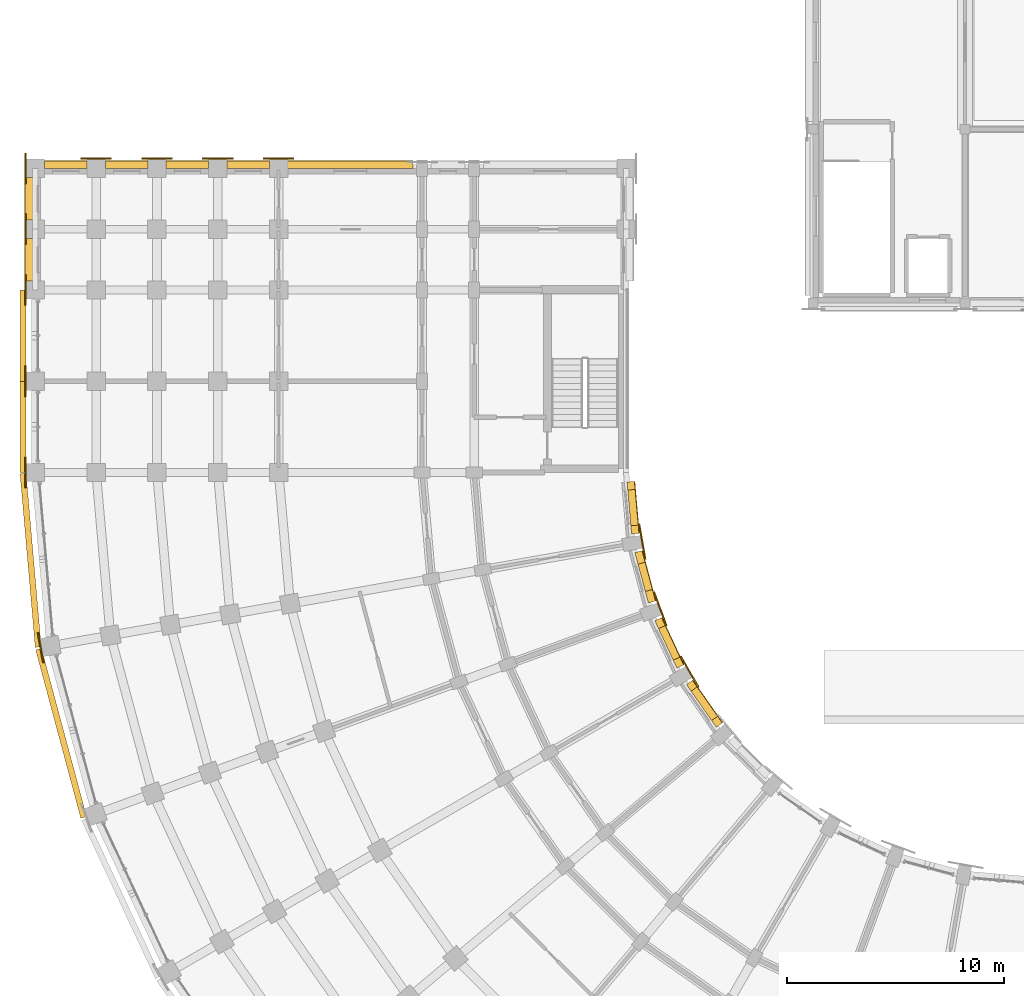
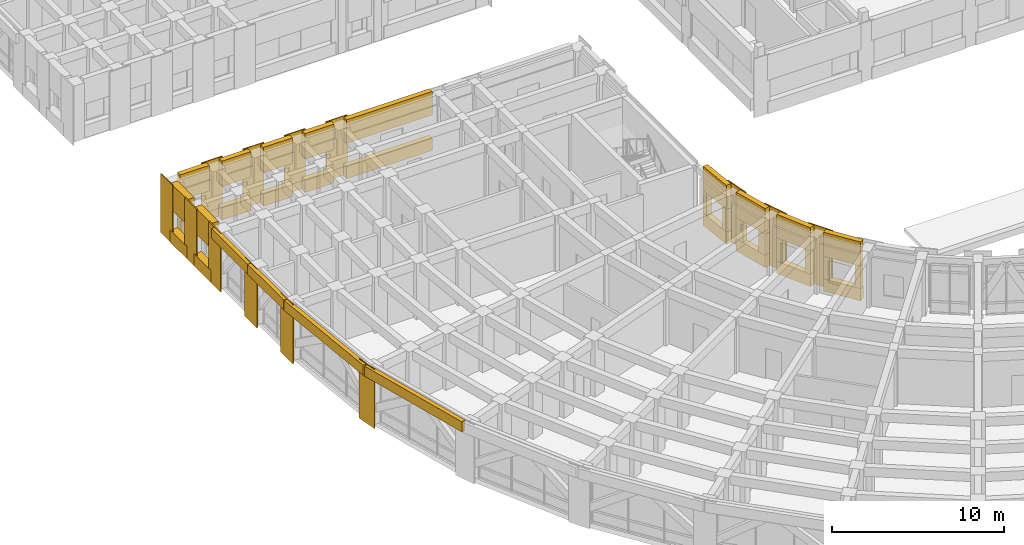
# One storey, part 83 of 97: 47 coverings.
"""IFC4 building model written with IfcOpenShell, lengths in metres."""

from ifc_helpers import new_model, si_unit, direction, frame, origin, place, context, subcontext, project, spatial, polyline, outline, extrude, material, layer, layer_set, type_object, element, save


model = new_model("IFC4")

# Units and contexts
model_context = context("Model", 3, precision=1e-05, world=origin(), true_north=direction((0.0, 1.0)))
body_context = subcontext(model_context, "Body", "Model", "MODEL_VIEW")
ifc_project = project(units=[si_unit("LENGTHUNIT", "METRE"), si_unit("AREAUNIT", "SQUARE_METRE"), si_unit("VOLUMEUNIT", "CUBIC_METRE"), si_unit("PLANEANGLEUNIT", "RADIAN"), si_unit("MASSUNIT", "GRAM", prefix="KILO")], contexts=[model_context])

# Site, building, storey
site_placement = place(None, origin())
site = spatial("IfcSite", under=ifc_project, at=site_placement, CompositionType="ELEMENT")
building_placement = place(site_placement, origin())
building = spatial("IfcBuilding", under=site, at=building_placement, Name="Kiranvali Square Residences", CompositionType="ELEMENT")
storey_placement = place(building_placement, frame((0.0, 0.0, 4.5)))
storey = spatial("IfcBuildingStorey", under=building, at=storey_placement, Name="L01", CompositionType="ELEMENT", Elevation=4.5)

# Coverings
ifc_material_1 = material(Name="Carved Porbandar limestone classical entablature and cornice", Category="masonry")
ifc_layer_1 = layer(ifc_material_1, 0.449951171875)
ifc_layer_set_1 = layer_set([ifc_layer_1], Name="Carved Porbandar limestone classical entablature and cornice")
covering_type_1 = type_object("IfcCoveringType", Name="COV-CLAD-CORN", PredefinedType="CLADDING", material=ifc_layer_set_1)
covering_1_placement = place(storey_placement, frame((0.0, 0.0, 3.47998046875)))
element("IfcCovering", 1, at=covering_1_placement, inside=storey, type_object=covering_type_1, Name="Block C L01 Classical Ottoman arcade entablature 8", PredefinedType="CLADDING", context=body_context, shape_type="SweptSolid", body=[
    extrude(outline(polyline([(4.561767578125, 32.3564453125), (2.486328125, 40.1015625), (2.2177734375, 40.02978515625), (4.293212890625, 32.28466796875), (4.561767578125, 32.3564453125)])), origin(), (0.0, 0.0, 1.0), 0.715087890625),
])
covering_2_placement = place(storey_placement, frame((0.0, 0.0, 3.47998046875)))
element("IfcCovering", 2, at=covering_2_placement, inside=storey, type_object=covering_type_1, Name="Block C L01 Classical Ottoman arcade entablature 9", PredefinedType="CLADDING", context=body_context, shape_type="SweptSolid", body=[
    extrude(outline(polyline([(2.473388671875, 40.175048828125), (1.774658203125, 48.162841796875), (1.49755859375, 48.138671875), (2.196533203125, 40.150634765625), (2.473388671875, 40.175048828125)])), origin(), (0.0, 0.0, 1.0), 0.715087890625),
])
covering_3_placement = place(storey_placement, frame((0.0, 0.0, 3.47998046875)))
element("IfcCovering", 3, at=covering_3_placement, inside=storey, type_object=covering_type_1, Name="Block C L01 Arm 2 street arcade cornice 1", PredefinedType="CLADDING", context=body_context, shape_type="SweptSolid", body=[
    extrude(outline(polyline([(1.77294921875, 48.199951171875), (1.77294921875, 52.39990234375), (1.4951171875, 52.39990234375), (1.4951171875, 48.199951171875), (1.77294921875, 48.199951171875)])), origin(), (0.0, 0.0, 1.0), 0.715087890625),
])
covering_4_placement = place(storey_placement, frame((0.0, 0.0, 3.47998046875)))
element("IfcCovering", 4, at=covering_4_placement, inside=storey, type_object=covering_type_1, Name="Block C L01 Arm 2 street arcade cornice 2", PredefinedType="CLADDING", context=body_context, shape_type="SweptSolid", body=[
    extrude(outline(polyline([(1.77294921875, 52.39990234375), (1.77294921875, 56.60009765625), (1.4951171875, 56.60009765625), (1.4951171875, 52.39990234375), (1.77294921875, 52.39990234375)])), origin(), (0.0, 0.0, 1.0), 0.715087890625),
])
ifc_material_2 = material(Name="Honed Porbandar limestone ashlar facade cladding", Category="masonry")
ifc_layer_2 = layer(ifc_material_2, 0.3798828125)
ifc_layer_set_2 = layer_set([ifc_layer_2], Name="Honed Porbandar limestone ashlar facade cladding")
covering_type_2 = type_object("IfcCoveringType", Name="COV-CLAD-JAMB", PredefinedType="CLADDING", material=ifc_layer_set_2)
covering_5_placement = place(storey_placement, frame((0.0, 0.0, 0.8798828125)))
element("IfcCovering", 5, at=covering_5_placement, inside=storey, type_object=covering_type_2, Name="L01 deep limestone window jamb reveal C-L01-GDN-05.L", PredefinedType="CLADDING", context=body_context, shape_type="SweptSolid", body=[
    extrude(outline(polyline([(33.824462890625, 36.671142578125), (33.6103515625, 36.97705078125), (33.33203125, 36.7822265625), (33.54638671875, 36.476318359375), (33.824462890625, 36.671142578125)])), origin(), (0.0, 0.0, 1.0), 1.60009765625),
])
covering_6_placement = place(storey_placement, frame((0.0, 0.0, 0.8798828125)))
element("IfcCovering", 6, at=covering_6_placement, inside=storey, type_object=covering_type_2, Name="L01 deep limestone window jamb reveal C-L01-GDN-05.R", PredefinedType="CLADDING", context=body_context, shape_type="SweptSolid", body=[
    extrude(outline(polyline([(32.663818359375, 38.32861328125), (32.44970703125, 38.634521484375), (32.171630859375, 38.43994140625), (32.3857421875, 38.1337890625), (32.663818359375, 38.32861328125)])), origin(), (0.0, 0.0, 1.0), 1.60009765625),
])
covering_7_placement = place(storey_placement, frame((0.0, 0.0, 0.8798828125)))
element("IfcCovering", 7, at=covering_7_placement, inside=storey, type_object=covering_type_2, Name="L01 deep limestone window jamb reveal C-L01-GDN-06.L", PredefinedType="CLADDING", context=body_context, shape_type="SweptSolid", body=[
    extrude(outline(polyline([(32.041015625, 39.342529296875), (31.87255859375, 39.70361328125), (31.564697265625, 39.56005859375), (31.733154296875, 39.198974609375), (32.041015625, 39.342529296875)])), origin(), (0.0, 0.0, 1.0), 1.650146484375),
])
covering_8_placement = place(storey_placement, frame((0.0, 0.0, 0.8798828125)))
element("IfcCovering", 8, at=covering_8_placement, inside=storey, type_object=covering_type_2, Name="L01 deep limestone window jamb reveal C-L01-GDN-06.R", PredefinedType="CLADDING", context=body_context, shape_type="SweptSolid", body=[
    extrude(outline(polyline([(31.1962890625, 41.15380859375), (31.02783203125, 41.514892578125), (30.72021484375, 41.37158203125), (30.888671875, 41.01025390625), (31.1962890625, 41.15380859375)])), origin(), (0.0, 0.0, 1.0), 1.650146484375),
])
covering_9_placement = place(storey_placement, frame((0.0, 0.0, 0.8798828125)))
element("IfcCovering", 9, at=covering_9_placement, inside=storey, type_object=covering_type_2, Name="L01 deep limestone window jamb reveal C-L01-GDN-07.L", PredefinedType="CLADDING", context=body_context, shape_type="SweptSolid", body=[
    extrude(outline(polyline([(30.748291015625, 42.282958984375), (30.6064453125, 42.812744140625), (30.2783203125, 42.72509765625), (30.42041015625, 42.195068359375), (30.748291015625, 42.282958984375)])), origin(), (0.0, 0.0, 1.0), 1.5),
])
covering_10_placement = place(storey_placement, frame((0.0, 0.0, 0.8798828125)))
element("IfcCovering", 10, at=covering_10_placement, inside=storey, type_object=covering_type_2, Name="L01 deep limestone window jamb reveal C-L01-GDN-07.R", PredefinedType="CLADDING", context=body_context, shape_type="SweptSolid", body=[
    extrude(outline(polyline([(30.269775390625, 44.068603515625), (30.1279296875, 44.598388671875), (29.800048828125, 44.510498046875), (29.94189453125, 43.980712890625), (30.269775390625, 44.068603515625)])), origin(), (0.0, 0.0, 1.0), 1.5),
])
covering_11_placement = place(storey_placement, frame((0.0, 0.0, 0.8798828125)))
element("IfcCovering", 11, at=covering_11_placement, inside=storey, type_object=covering_type_2, Name="L01 deep limestone window jamb reveal C-L01-GDN-08.L", PredefinedType="CLADDING", context=body_context, shape_type="SweptSolid", body=[
    extrude(outline(polyline([(29.986083984375, 45.4033203125), (29.953369140625, 45.775390625), (29.615234375, 45.745849609375), (29.647705078125, 45.373779296875), (29.986083984375, 45.4033203125)])), origin(), (0.0, 0.0, 1.0), 1.60009765625),
])
covering_12_placement = place(storey_placement, frame((0.0, 0.0, 0.8798828125)))
element("IfcCovering", 12, at=covering_12_placement, inside=storey, type_object=covering_type_2, Name="L01 deep limestone window jamb reveal C-L01-GDN-08.R", PredefinedType="CLADDING", context=body_context, shape_type="SweptSolid", body=[
    extrude(outline(polyline([(29.8095703125, 47.419189453125), (29.777099609375, 47.791259765625), (29.43896484375, 47.76171875), (29.471435546875, 47.3896484375), (29.8095703125, 47.419189453125)])), origin(), (0.0, 0.0, 1.0), 1.60009765625),
])
ifc_layer_3 = layer(ifc_material_2, 0.050048828125)
ifc_layer_set_3 = layer_set([ifc_layer_3], Name="Honed Porbandar limestone ashlar facade cladding")
covering_type_3 = type_object("IfcCoveringType", Name="COV-CLAD-PIER-IN", PredefinedType="CLADDING", material=ifc_layer_set_3)
covering_13_placement = place(storey_placement, frame((0.0, 0.0, 0.0048828125)))
element("IfcCovering", 13, at=covering_13_placement, inside=storey, type_object=covering_type_3, Name="L01 Classical garden courtyard pilaster CLAD-PRIN-C-L01-A06", PredefinedType="CLADDING", context=body_context, shape_type="SweptSolid", body=[
    extrude(outline(polyline([(32.758056640625, 38.33203125), (31.93310546875, 39.760986328125), (31.874755859375, 39.727294921875), (32.69970703125, 38.29833984375), (32.758056640625, 38.33203125)])), origin(), (0.0, 0.0, 1.0), 4.190185546875),
])
covering_14_placement = place(storey_placement, frame((0.0, 0.0, 0.0048828125)))
element("IfcCovering", 14, at=covering_14_placement, inside=storey, type_object=covering_type_3, Name="L01 Classical garden courtyard pilaster CLAD-PRIN-C-L01-A07", PredefinedType="CLADDING", context=body_context, shape_type="SweptSolid", body=[
    extrude(outline(polyline([(31.279296875, 41.163330078125), (30.71484375, 42.7138671875), (30.6513671875, 42.69091796875), (31.2158203125, 41.140380859375), (31.279296875, 41.163330078125)])), origin(), (0.0, 0.0, 1.0), 4.190185546875),
])
covering_15_placement = place(storey_placement, frame((0.0, 0.0, 0.0048828125)))
element("IfcCovering", 15, at=covering_15_placement, inside=storey, type_object=covering_type_3, Name="L01 Classical garden courtyard pilaster CLAD-PRIN-C-L01-A08", PredefinedType="CLADDING", context=body_context, shape_type="SweptSolid", body=[
    extrude(outline(polyline([(30.314453125, 44.20849609375), (30.02783203125, 45.83349609375), (29.96142578125, 45.82177734375), (30.247802734375, 44.19677734375), (30.314453125, 44.20849609375)])), origin(), (0.0, 0.0, 1.0), 4.190185546875),
])
ifc_layer_4 = layer(ifc_material_2, 0.054931640625)
ifc_layer_set_4 = layer_set([ifc_layer_4], Name="Honed Porbandar limestone ashlar facade cladding")
covering_type_4 = type_object("IfcCoveringType", Name="COV-CLAD-PIER-UP", PredefinedType="CLADDING", material=ifc_layer_set_4)
covering_16_placement = place(storey_placement, frame((0.0, 0.0, 0.0048828125)))
element("IfcCovering", 16, at=covering_16_placement, inside=storey, type_object=covering_type_4, Name="L01 Classical limestone pilaster casing CLAD-PRA2E-C-L01-R348", PredefinedType="CLADDING", context=body_context, shape_type="SweptSolid", body=[
    extrude(outline(polyline([(14.10498046875, 62.693115234375), (12.695068359375, 62.693115234375), (12.695068359375, 62.62548828125), (14.10498046875, 62.62548828125), (14.10498046875, 62.693115234375)])), origin(), (0.0, 0.0, 1.0), 4.190185546875),
])
covering_17_placement = place(storey_placement, frame((0.0, 0.0, 0.0048828125)))
element("IfcCovering", 17, at=covering_17_placement, inside=storey, type_object=covering_type_4, Name="L01 Classical limestone pilaster casing CLAD-PRA2E-C-L01-R376", PredefinedType="CLADDING", context=body_context, shape_type="SweptSolid", body=[
    extrude(outline(polyline([(11.304931640625, 62.693115234375), (9.89501953125, 62.693115234375), (9.89501953125, 62.62548828125), (11.304931640625, 62.62548828125), (11.304931640625, 62.693115234375)])), origin(), (0.0, 0.0, 1.0), 4.190185546875),
])
covering_18_placement = place(storey_placement, frame((0.0, 0.0, 0.0048828125)))
element("IfcCovering", 18, at=covering_18_placement, inside=storey, type_object=covering_type_4, Name="L01 Classical limestone pilaster casing CLAD-PRA2E-C-L01-R404", PredefinedType="CLADDING", context=body_context, shape_type="SweptSolid", body=[
    extrude(outline(polyline([(8.5048828125, 62.693115234375), (7.094970703125, 62.693115234375), (7.094970703125, 62.62548828125), (8.5048828125, 62.62548828125), (8.5048828125, 62.693115234375)])), origin(), (0.0, 0.0, 1.0), 4.190185546875),
])
covering_19_placement = place(storey_placement, frame((0.0, 0.0, 0.0048828125)))
element("IfcCovering", 19, at=covering_19_placement, inside=storey, type_object=covering_type_4, Name="L01 Classical limestone pilaster casing CLAD-PRA2E-C-L01-R432", PredefinedType="CLADDING", context=body_context, shape_type="SweptSolid", body=[
    extrude(outline(polyline([(5.705078125, 62.693115234375), (4.294921875, 62.693115234375), (4.294921875, 62.62548828125), (5.705078125, 62.62548828125), (5.705078125, 62.693115234375)])), origin(), (0.0, 0.0, 1.0), 4.190185546875),
])
ifc_material_3 = material(Name="Alternating Deccan basalt and Porbandar limestone rusticated plinth ashlar", Category="masonry")
ifc_layer_5 = layer(ifc_material_3, 0.0849609375)
ifc_layer_set_5 = layer_set([ifc_layer_5], Name="Alternating Deccan basalt and Porbandar limestone rusticated plinth ashlar")
covering_type_5 = type_object("IfcCoveringType", Name="COV-CLAD-PLINTH", PredefinedType="CLADDING", material=ifc_layer_set_5)
covering_20_placement = place(storey_placement, frame((0.0, 0.0, 0.0048828125)))
element("IfcCovering", 20, at=covering_20_placement, inside=storey, type_object=covering_type_5, Name="L01 rusticated Ottoman arcade pier CLAD-PR-C-L01-A08", PredefinedType="CLADDING", context=body_context, shape_type="SweptSolid", body=[
    extrude(outline(polyline([(2.291015625, 40.82080078125), (2.53564453125, 39.432373046875), (2.602294921875, 39.444091796875), (2.357421875, 40.83251953125), (2.291015625, 40.82080078125)])), origin(), (0.0, 0.0, 1.0), 4.190185546875),
])
covering_21_placement = place(storey_placement, frame((0.0, 0.0, 0.0048828125)))
element("IfcCovering", 21, at=covering_21_placement, inside=storey, type_object=covering_type_5, Name="L01 rusticated Ottoman arcade pier CLAD-PR-C-L01-A09", PredefinedType="CLADDING", context=body_context, shape_type="SweptSolid", body=[
    extrude(outline(polyline([(1.70703125, 48.905029296875), (1.70703125, 47.4951171875), (1.7744140625, 47.4951171875), (1.7744140625, 48.905029296875), (1.70703125, 48.905029296875)])), origin(), (0.0, 0.0, 1.0), 4.190185546875),
])
covering_22_placement = place(storey_placement, frame((0.0, 0.0, 0.0048828125)))
element("IfcCovering", 22, at=covering_22_placement, inside=storey, type_object=covering_type_5, Name="L01 Classical limestone pilaster casing CLAD-PR-C-L01-V42", PredefinedType="CLADDING", context=body_context, shape_type="SweptSolid", body=[
    extrude(outline(polyline([(1.7744140625, 51.695068359375), (1.7744140625, 53.10498046875), (1.70703125, 53.10498046875), (1.70703125, 51.695068359375), (1.7744140625, 51.695068359375)])), origin(), (0.0, 0.0, 1.0), 4.190185546875),
])
covering_23_placement = place(storey_placement, frame((0.0, 0.0, 0.0048828125)))
element("IfcCovering", 23, at=covering_23_placement, inside=storey, type_object=covering_type_5, Name="L01 Classical limestone pilaster casing CLAD-PR-C-L01-V84", PredefinedType="CLADDING", context=body_context, shape_type="SweptSolid", body=[
    extrude(outline(polyline([(1.7744140625, 55.89501953125), (1.7744140625, 57.304931640625), (1.70703125, 57.304931640625), (1.70703125, 55.89501953125), (1.7744140625, 55.89501953125)])), origin(), (0.0, 0.0, 1.0), 4.190185546875),
])
covering_24_placement = place(storey_placement, frame((0.0, 0.0, 0.0048828125)))
element("IfcCovering", 24, at=covering_24_placement, inside=storey, type_object=covering_type_5, Name="L01 Classical limestone pilaster casing CLAD-PR-C-L01-V112", PredefinedType="CLADDING", context=body_context, shape_type="SweptSolid", body=[
    extrude(outline(polyline([(1.7744140625, 58.695068359375), (1.7744140625, 60.10498046875), (1.70703125, 60.10498046875), (1.70703125, 58.695068359375), (1.7744140625, 58.695068359375)])), origin(), (0.0, 0.0, 1.0), 4.190185546875),
])
covering_25_placement = place(storey_placement, frame((0.0, 0.0, 0.0048828125)))
element("IfcCovering", 25, at=covering_25_placement, inside=storey, type_object=covering_type_5, Name="L01 Classical limestone pilaster casing CLAD-PR-C-L01-V140", PredefinedType="CLADDING", context=body_context, shape_type="SweptSolid", body=[
    extrude(outline(polyline([(1.7744140625, 61.4951171875), (1.7744140625, 62.905029296875), (1.70703125, 62.905029296875), (1.70703125, 61.4951171875), (1.7744140625, 61.4951171875)])), origin(), (0.0, 0.0, 1.0), 4.190185546875),
])
ifc_layer_6 = layer(ifc_material_2, 0.360107421875)
ifc_layer_set_6 = layer_set([ifc_layer_6], Name="Honed Porbandar limestone ashlar facade cladding")
covering_type_6 = type_object("IfcCoveringType", Name="COV-CLAD-WALL", PredefinedType="CLADDING", material=ifc_layer_set_6)
covering_26_placement = place(storey_placement, frame((0.0, 0.0, 2.47998046875)))
element("IfcCovering", 26, at=covering_26_placement, inside=storey, type_object=covering_type_6, Name="L01 light limestone spandrel lintel C-L01-GDN-05", PredefinedType="CLADDING", context=body_context, shape_type="SweptSolid", body=[
    extrude(outline(polyline([(33.824462890625, 36.671142578125), (32.44970703125, 38.634521484375), (32.171630859375, 38.43994140625), (33.54638671875, 36.476318359375), (33.824462890625, 36.671142578125)])), origin(), (0.0, 0.0, 1.0), 1.715087890625),
])
covering_27_placement = place(storey_placement, frame((0.0, 0.0, 2.530029296875)))
element("IfcCovering", 27, at=covering_27_placement, inside=storey, type_object=covering_type_6, Name="L01 light limestone spandrel lintel C-L01-GDN-06", PredefinedType="CLADDING", context=body_context, shape_type="SweptSolid", body=[
    extrude(outline(polyline([(32.041015625, 39.342529296875), (31.02783203125, 41.514892578125), (30.72021484375, 41.37158203125), (31.733154296875, 39.198974609375), (32.041015625, 39.342529296875)])), origin(), (0.0, 0.0, 1.0), 1.6650390625),
])
covering_28_placement = place(storey_placement, frame((0.0, 0.0, 2.3798828125)))
element("IfcCovering", 28, at=covering_28_placement, inside=storey, type_object=covering_type_6, Name="L01 light limestone spandrel lintel C-L01-GDN-07", PredefinedType="CLADDING", context=body_context, shape_type="SweptSolid", body=[
    extrude(outline(polyline([(30.748291015625, 42.282958984375), (30.1279296875, 44.598388671875), (29.800048828125, 44.510498046875), (30.42041015625, 42.195068359375), (30.748291015625, 42.282958984375)])), origin(), (0.0, 0.0, 1.0), 1.815185546875),
])
covering_29_placement = place(storey_placement, frame((0.0, 0.0, 2.47998046875)))
element("IfcCovering", 29, at=covering_29_placement, inside=storey, type_object=covering_type_6, Name="L01 light limestone spandrel lintel C-L01-GDN-08", PredefinedType="CLADDING", context=body_context, shape_type="SweptSolid", body=[
    extrude(outline(polyline([(29.986083984375, 45.4033203125), (29.777099609375, 47.791259765625), (29.43896484375, 47.76171875), (29.647705078125, 45.373779296875), (29.986083984375, 45.4033203125)])), origin(), (0.0, 0.0, 1.0), 1.715087890625),
])
covering_30_placement = place(storey_placement, frame((0.0, 0.0, 2.3798828125)))
element("IfcCovering", 30, at=covering_30_placement, inside=storey, type_object=covering_type_6, Name="L01 light limestone spandrel lintel C-L01-A2O-2", PredefinedType="CLADDING", context=body_context, shape_type="SweptSolid", body=[
    extrude(outline(polyline([(2.199462890625, 57.02001953125), (2.199462890625, 58.97998046875), (1.72509765625, 58.97998046875), (1.72509765625, 57.02001953125), (2.199462890625, 57.02001953125)])), origin(), (0.0, 0.0, 1.0), 1.815185546875),
])
covering_31_placement = place(storey_placement, frame((0.0, 0.0, 0.0048828125)))
element("IfcCovering", 31, at=covering_31_placement, inside=storey, type_object=covering_type_6, Name="L01 limestone window sill apron C-L01-A2O-2", PredefinedType="CLADDING", context=body_context, shape_type="SweptSolid", body=[
    extrude(outline(polyline([(2.199462890625, 57.02001953125), (2.199462890625, 58.97998046875), (1.695068359375, 58.97998046875), (1.695068359375, 57.02001953125), (2.199462890625, 57.02001953125)])), origin(), (0.0, 0.0, 1.0), 0.875),
])
covering_32_placement = place(storey_placement, frame((0.0, 0.0, 2.3798828125)))
element("IfcCovering", 32, at=covering_32_placement, inside=storey, type_object=covering_type_6, Name="L01 light limestone spandrel lintel C-L01-A2O-3", PredefinedType="CLADDING", context=body_context, shape_type="SweptSolid", body=[
    extrude(outline(polyline([(2.199462890625, 59.820068359375), (2.199462890625, 61.780029296875), (1.72509765625, 61.780029296875), (1.72509765625, 59.820068359375), (2.199462890625, 59.820068359375)])), origin(), (0.0, 0.0, 1.0), 1.815185546875),
])
covering_33_placement = place(storey_placement, frame((0.0, 0.0, 0.0048828125)))
element("IfcCovering", 33, at=covering_33_placement, inside=storey, type_object=covering_type_6, Name="L01 limestone window sill apron C-L01-A2O-3", PredefinedType="CLADDING", context=body_context, shape_type="SweptSolid", body=[
    extrude(outline(polyline([(2.199462890625, 59.820068359375), (2.199462890625, 61.780029296875), (1.695068359375, 61.780029296875), (1.695068359375, 59.820068359375), (2.199462890625, 59.820068359375)])), origin(), (0.0, 0.0, 1.0), 0.875),
])
covering_34_placement = place(storey_placement, frame((0.0, 0.0, 2.530029296875)))
element("IfcCovering", 34, at=covering_34_placement, inside=storey, type_object=covering_type_6, Name="L01 light limestone spandrel lintel C-L01-A2END-2", PredefinedType="CLADDING", context=body_context, shape_type="SweptSolid", body=[
    extrude(outline(polyline([(19.580078125, 62.5400390625), (13.820068359375, 62.5400390625), (13.820068359375, 62.200439453125), (19.580078125, 62.200439453125), (19.580078125, 62.5400390625)])), origin(), (0.0, 0.0, 1.0), 1.6650390625),
])
covering_35_placement = place(storey_placement, frame((0.0, 0.0, 0.0048828125)))
element("IfcCovering", 35, at=covering_35_placement, inside=storey, type_object=covering_type_6, Name="L01 limestone window sill apron C-L01-A2END-2", PredefinedType="CLADDING", context=body_context, shape_type="SweptSolid", body=[
    extrude(outline(polyline([(19.580078125, 62.570068359375), (13.820068359375, 62.570068359375), (13.820068359375, 62.200439453125), (19.580078125, 62.200439453125), (19.580078125, 62.570068359375)])), origin(), (0.0, 0.0, 1.0), 0.875),
])
covering_36_placement = place(storey_placement, frame((0.0, 0.0, 2.3798828125)))
element("IfcCovering", 36, at=covering_36_placement, inside=storey, type_object=covering_type_6, Name="L01 light limestone spandrel lintel C-L01-A2END-3", PredefinedType="CLADDING", context=body_context, shape_type="SweptSolid", body=[
    extrude(outline(polyline([(12.97998046875, 62.5400390625), (11.02001953125, 62.5400390625), (11.02001953125, 62.200439453125), (12.97998046875, 62.200439453125), (12.97998046875, 62.5400390625)])), origin(), (0.0, 0.0, 1.0), 1.815185546875),
])
covering_37_placement = place(storey_placement, frame((0.0, 0.0, 0.0048828125)))
element("IfcCovering", 37, at=covering_37_placement, inside=storey, type_object=covering_type_6, Name="L01 limestone window sill apron C-L01-A2END-3", PredefinedType="CLADDING", context=body_context, shape_type="SweptSolid", body=[
    extrude(outline(polyline([(12.97998046875, 62.570068359375), (11.02001953125, 62.570068359375), (11.02001953125, 62.200439453125), (12.97998046875, 62.200439453125), (12.97998046875, 62.570068359375)])), origin(), (0.0, 0.0, 1.0), 0.875),
])
covering_38_placement = place(storey_placement, frame((0.0, 0.0, 2.3798828125)))
element("IfcCovering", 38, at=covering_38_placement, inside=storey, type_object=covering_type_6, Name="L01 light limestone spandrel lintel C-L01-A2END-4", PredefinedType="CLADDING", context=body_context, shape_type="SweptSolid", body=[
    extrude(outline(polyline([(10.179931640625, 62.5400390625), (8.219970703125, 62.5400390625), (8.219970703125, 62.200439453125), (10.179931640625, 62.200439453125), (10.179931640625, 62.5400390625)])), origin(), (0.0, 0.0, 1.0), 1.815185546875),
])
covering_39_placement = place(storey_placement, frame((0.0, 0.0, 0.0048828125)))
element("IfcCovering", 39, at=covering_39_placement, inside=storey, type_object=covering_type_6, Name="L01 limestone window sill apron C-L01-A2END-4", PredefinedType="CLADDING", context=body_context, shape_type="SweptSolid", body=[
    extrude(outline(polyline([(10.179931640625, 62.570068359375), (8.219970703125, 62.570068359375), (8.219970703125, 62.200439453125), (10.179931640625, 62.200439453125), (10.179931640625, 62.570068359375)])), origin(), (0.0, 0.0, 1.0), 0.875),
])
covering_40_placement = place(storey_placement, frame((0.0, 0.0, 2.3798828125)))
element("IfcCovering", 40, at=covering_40_placement, inside=storey, type_object=covering_type_6, Name="L01 light limestone spandrel lintel C-L01-A2END-5", PredefinedType="CLADDING", context=body_context, shape_type="SweptSolid", body=[
    extrude(outline(polyline([(7.3798828125, 62.5400390625), (5.419921875, 62.5400390625), (5.419921875, 62.200439453125), (7.3798828125, 62.200439453125), (7.3798828125, 62.5400390625)])), origin(), (0.0, 0.0, 1.0), 1.815185546875),
])
covering_41_placement = place(storey_placement, frame((0.0, 0.0, 0.0048828125)))
element("IfcCovering", 41, at=covering_41_placement, inside=storey, type_object=covering_type_6, Name="L01 limestone window sill apron C-L01-A2END-5", PredefinedType="CLADDING", context=body_context, shape_type="SweptSolid", body=[
    extrude(outline(polyline([(7.3798828125, 62.570068359375), (5.419921875, 62.570068359375), (5.419921875, 62.200439453125), (7.3798828125, 62.200439453125), (7.3798828125, 62.570068359375)])), origin(), (0.0, 0.0, 1.0), 0.875),
])
covering_42_placement = place(storey_placement, frame((0.0, 0.0, 2.3798828125)))
element("IfcCovering", 42, at=covering_42_placement, inside=storey, type_object=covering_type_6, Name="L01 light limestone spandrel lintel C-L01-A2END-6", PredefinedType="CLADDING", context=body_context, shape_type="SweptSolid", body=[
    extrude(outline(polyline([(4.580078125, 62.5400390625), (2.6201171875, 62.5400390625), (2.6201171875, 62.200439453125), (4.580078125, 62.200439453125), (4.580078125, 62.5400390625)])), origin(), (0.0, 0.0, 1.0), 1.815185546875),
])
covering_43_placement = place(storey_placement, frame((0.0, 0.0, 0.0048828125)))
element("IfcCovering", 43, at=covering_43_placement, inside=storey, type_object=covering_type_6, Name="L01 limestone window sill apron C-L01-A2END-6", PredefinedType="CLADDING", context=body_context, shape_type="SweptSolid", body=[
    extrude(outline(polyline([(4.580078125, 62.570068359375), (2.6201171875, 62.570068359375), (2.6201171875, 62.200439453125), (4.580078125, 62.200439453125), (4.580078125, 62.570068359375)])), origin(), (0.0, 0.0, 1.0), 0.875),
])
ifc_layer_7 = layer(ifc_material_2, 0.2900390625)
ifc_layer_set_7 = layer_set([ifc_layer_7], Name="Honed Porbandar limestone ashlar facade cladding")
covering_type_7 = type_object("IfcCoveringType", Name="COV-CLAD-WALL-IN", PredefinedType="CLADDING", material=ifc_layer_set_7)
covering_44_placement = place(storey_placement, frame((0.0, 0.0, 0.0048828125)))
element("IfcCovering", 44, at=covering_44_placement, inside=storey, type_object=covering_type_7, Name="L01 limestone window sill apron C-L01-GDN-05", PredefinedType="CLADDING", context=body_context, shape_type="SweptSolid", body=[
    extrude(outline(polyline([(33.84912109375, 36.688232421875), (32.47412109375, 38.65185546875), (32.171630859375, 38.43994140625), (33.54638671875, 36.476318359375), (33.84912109375, 36.688232421875)])), origin(), (0.0, 0.0, 1.0), 0.875),
])
covering_45_placement = place(storey_placement, frame((0.0, 0.0, 0.0048828125)))
element("IfcCovering", 45, at=covering_45_placement, inside=storey, type_object=covering_type_7, Name="L01 limestone window sill apron C-L01-GDN-06", PredefinedType="CLADDING", context=body_context, shape_type="SweptSolid", body=[
    extrude(outline(polyline([(32.068115234375, 39.355224609375), (31.05517578125, 41.527587890625), (30.72021484375, 41.37158203125), (31.733154296875, 39.198974609375), (32.068115234375, 39.355224609375)])), origin(), (0.0, 0.0, 1.0), 0.875),
])
covering_46_placement = place(storey_placement, frame((0.0, 0.0, 0.0048828125)))
element("IfcCovering", 46, at=covering_46_placement, inside=storey, type_object=covering_type_7, Name="L01 limestone window sill apron C-L01-GDN-07", PredefinedType="CLADDING", context=body_context, shape_type="SweptSolid", body=[
    extrude(outline(polyline([(30.77734375, 42.290771484375), (30.156982421875, 44.606201171875), (29.800048828125, 44.510498046875), (30.42041015625, 42.195068359375), (30.77734375, 42.290771484375)])), origin(), (0.0, 0.0, 1.0), 0.875),
])
covering_47_placement = place(storey_placement, frame((0.0, 0.0, 0.0048828125)))
element("IfcCovering", 47, at=covering_47_placement, inside=storey, type_object=covering_type_7, Name="L01 limestone window sill apron C-L01-GDN-08", PredefinedType="CLADDING", context=body_context, shape_type="SweptSolid", body=[
    extrude(outline(polyline([(30.015869140625, 45.406005859375), (29.806884765625, 47.7939453125), (29.43896484375, 47.76171875), (29.647705078125, 45.373779296875), (30.015869140625, 45.406005859375)])), origin(), (0.0, 0.0, 1.0), 0.875),
])

save(model, "model.ifc")
